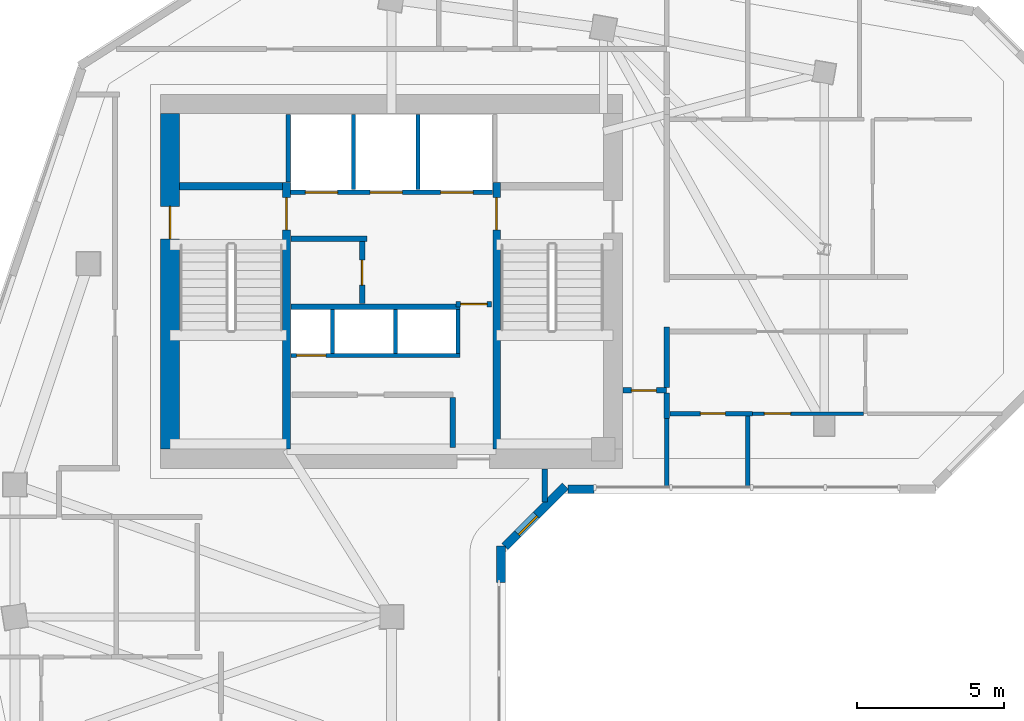
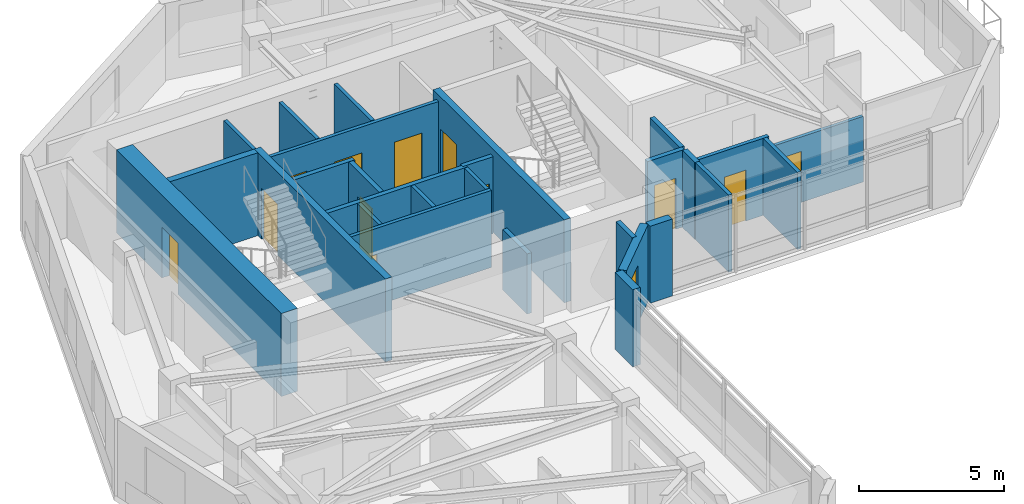
# One storey, part 5 of 10: 28 walls, 12 doors, 1 window, 13 openings.
"""IFC4 building model written with IfcOpenShell, lengths in metres."""

from ifc_helpers import new_model, si_unit, direction, frame, frame_2d, origin, place, context, subcontext, project, spatial, rectangle, extrude, source, transform, mapped, material, layer, layer_set, type_object, element, fill, save


model = new_model("IFC4")

# Units and contexts
model_context = context("Model", 3, precision=1e-05, world=origin(), true_north=direction((0.0, 1.0)))
body_context = subcontext(model_context, "Body", "Model", "MODEL_VIEW")
ifc_project = project(units=[si_unit("LENGTHUNIT", "METRE"), si_unit("AREAUNIT", "SQUARE_METRE"), si_unit("VOLUMEUNIT", "CUBIC_METRE"), si_unit("PLANEANGLEUNIT", "RADIAN"), si_unit("MASSUNIT", "GRAM", prefix="KILO")], contexts=[model_context])

# Site, building, storey
site_placement = place(None, origin())
site = spatial("IfcSite", under=ifc_project, at=site_placement, CompositionType="ELEMENT")
building_placement = place(site_placement, origin())
building = spatial("IfcBuilding", under=site, at=building_placement, Name="Calvemar Wedge Station Tower", CompositionType="ELEMENT")
storey_placement = place(building_placement, frame((0.0, 0.0, 221.89990234375)))
storey = spatial("IfcBuildingStorey", under=building, at=storey_placement, Name="L56", CompositionType="ELEMENT", Elevation=221.89990234375)

# Wall, opening, door
ifc_material_1 = material(Name="Concrete C50", Category="concrete")
ifc_layer_1 = layer(ifc_material_1, 0.260009765625)
ifc_layer_set_1 = layer_set([ifc_layer_1], Name="Concrete C50")
wall_type_1 = type_object("IfcWallType", Name="SW-CORE-260", PredefinedType="SHEAR", material=ifc_layer_set_1)
wall_1_placement = place(storey_placement, frame((20.22998046875, 34.199951171875, 0.0), z_axis=(0.0, 0.0, 1.0), x_axis=(0.0, 1.0, 0.0)))
wall_1 = element("IfcWall", 1, at=wall_1_placement, inside=storey, type_object=wall_type_1, Name="Storey L56 Core Shear Wall SPINE-W", PredefinedType="SHEAR", context=body_context, shape_type="SweptSolid", body=[
    extrude(rectangle(XDim=9.06005859375, YDim=0.260009765625, at=frame_2d((4.530029296875, 0.0))), origin(), (0.0, 0.0, 1.0), 3.5),
])
shared_shape_1 = source(origin(), body_context, "Body", "SweptSolid", [
    extrude(rectangle(XDim=1.10009765625, YDim=2.14990234375, at=frame_2d((0.550048828125, 1.074951171875))), frame((0.0, 0.14013671875, 0.0), z_axis=(0.0, -1.0, 0.0), x_axis=(1.0, 0.0, 0.0)), (0.0, 0.0, 1.0), 0.280029296875),
])
opening_1_placement = place(wall_1_placement, frame((7.449951171875, 0.0, 0.0)))
opening_1 = element("IfcOpeningElement", 2, at=opening_1_placement, cuts=wall_1, Name="Opening FD-90", PredefinedType="OPENING", context=body_context, shape_type="MappedRepresentation", body=[
    mapped(shared_shape_1, transform((0.0, 0.0, 0.0), scale=1.0)),
])
ifc_material_2 = material(Name="Galvanized fire-rated steel door leaf P-90", Category="steel")
door_type_1 = type_object("IfcDoorType", Name="DR-FD90-1100", OperationType="NOTDEFINED", PredefinedType="DOOR", material=ifc_material_2)
shared_shape_2 = source(origin(), body_context, "Body", "SweptSolid", [
    extrude(rectangle(XDim=1.10009765625, YDim=2.14990234375, at=frame_2d((0.550048828125, 1.074951171875))), frame((0.0, 0.02490234375, 0.0), z_axis=(0.0, -1.0, 0.0), x_axis=(1.0, 0.0, 0.0)), (0.0, 0.0, 1.0), 0.050048828125),
])
door_1_placement = place(opening_1_placement, origin())
door_1 = element("IfcDoor", 3, at=door_1_placement, inside=storey, type_object=door_type_1, Name="L56 FF Lobby to Stair ST-C1 Door", OperationType="SINGLE_SWING_LEFT", OverallHeight=2.14990234375, OverallWidth=1.10009765625, PredefinedType="DOOR", context=body_context, shape_type="MappedRepresentation", body=[
    mapped(shared_shape_2, transform((0.0, 0.0, 0.0), scale=1.0)),
])
fill(opening_1, door_1)

wall_2_placement = place(storey_placement, frame((27.3701171875, 34.199951171875, 0.0), z_axis=(0.0, 0.0, 1.0), x_axis=(0.0, 1.0, 0.0)))
wall_2 = element("IfcWall", 4, at=wall_2_placement, inside=storey, type_object=wall_type_1, Name="Storey L56 Core Shear Wall SPINE-E", PredefinedType="SHEAR", context=body_context, shape_type="SweptSolid", body=[
    extrude(rectangle(XDim=9.06005859375, YDim=0.260009765625, at=frame_2d((4.530029296875, 0.0))), origin(), (0.0, 0.0, 1.0), 3.5),
])
opening_2_placement = place(wall_2_placement, frame((7.449951171875, 0.0, 0.0)))
opening_2 = element("IfcOpeningElement", 5, at=opening_2_placement, cuts=wall_2, Name="Opening FD-90", PredefinedType="OPENING", context=body_context, shape_type="MappedRepresentation", body=[
    mapped(shared_shape_1, transform((0.0, 0.0, 0.0), scale=1.0)),
])
door_2_placement = place(opening_2_placement, origin())
door_2 = element("IfcDoor", 6, at=door_2_placement, inside=storey, type_object=door_type_1, Name="L56 FF Lobby to Stair ST-C2 Door", OperationType="SINGLE_SWING_RIGHT", OverallHeight=2.14990234375, OverallWidth=1.10009765625, PredefinedType="DOOR", context=body_context, shape_type="MappedRepresentation", body=[
    mapped(shared_shape_2, transform((0.0, 0.0, 0.0), scale=1.0)),
])
fill(opening_2, door_2)

# Wall
wall_3_placement = place(storey_placement, frame((16.60009765625, 43.1298828125, 0.0), z_axis=(0.0, 0.0, 1.0), x_axis=(1.0, 0.0, 0.0)))
element("IfcWall", 7, at=wall_3_placement, inside=storey, type_object=wall_type_1, Name="Storey L56 Core Shear Wall STC1-N", PredefinedType="SHEAR", context=body_context, shape_type="SweptSolid", body=[
    extrude(rectangle(XDim=3.5, YDim=0.260009765625, at=frame_2d((1.75, 0.0))), origin(), (0.0, 0.0, 1.0), 3.5),
])

# Wall, opening, door
ifc_material_3 = material(Name="Concrete C60", Category="concrete")
ifc_layer_2 = layer(ifc_material_3, 0.64990234375)
ifc_layer_set_2 = layer_set([ifc_layer_2], Name="Concrete C60")
wall_type_2 = type_object("IfcWallType", Name="SW-CORE-650", PredefinedType="SHEAR", material=ifc_layer_set_2)
wall_4_placement = place(storey_placement, frame((16.27490234375, 34.199951171875, 0.0), z_axis=(0.0, 0.0, 1.0), x_axis=(0.0, 1.0, 0.0)))
wall_4 = element("IfcWall", 8, at=wall_4_placement, inside=storey, type_object=wall_type_2, Name="Storey L56 Core Shear Wall W", PredefinedType="SHEAR", context=body_context, shape_type="SweptSolid", body=[
    extrude(rectangle(XDim=11.400146484375, YDim=0.64990234375, at=frame_2d((5.7001953125, 0.0))), origin(), (0.0, 0.0, 1.0), 3.5),
])
shared_shape_3 = source(origin(), body_context, "Body", "SweptSolid", [
    extrude(rectangle(XDim=1.10009765625, YDim=2.14990234375, at=frame_2d((0.550048828125, 1.074951171875))), frame((0.0, 0.3349609375, 0.0), z_axis=(0.0, -1.0, 0.0), x_axis=(1.0, 0.0, 0.0)), (0.0, 0.0, 1.0), 0.669921875),
])
opening_3_placement = place(wall_4_placement, frame((7.14990234375, 0.0, 0.0)))
opening_3 = element("IfcOpeningElement", 9, at=opening_3_placement, cuts=wall_4, Name="Opening FD-90", PredefinedType="OPENING", context=body_context, shape_type="MappedRepresentation", body=[
    mapped(shared_shape_3, transform((0.0, 0.0, 0.0), scale=1.0)),
])
door_3_placement = place(opening_3_placement, origin())
door_3 = element("IfcDoor", 10, at=door_3_placement, inside=storey, type_object=door_type_1, Name="L56 West Corridor to Exit Stair ST-C1 Door", OperationType="SINGLE_SWING_LEFT", OverallHeight=2.14990234375, OverallWidth=1.10009765625, PredefinedType="DOOR", context=body_context, shape_type="MappedRepresentation", body=[
    mapped(shared_shape_2, transform((0.0, 0.0, 0.0), scale=1.0)),
])
fill(opening_3, door_3)

# Wall
ifc_material_4 = material(Name="Double-stud fire-rated corridor partition")
ifc_layer_3 = layer(ifc_material_4, 0.179931640625)
ifc_layer_set_3 = layer_set([ifc_layer_3], Name="Double-stud fire-rated corridor partition")
wall_type_3 = type_object("IfcWallType", Name="W-CORR-180", PredefinedType="PARTITIONING", material=ifc_layer_set_3)
wall_5_placement = place(storey_placement, frame((22.9599609375, 41.35009765625, 0.0), z_axis=(0.0, 0.0, 1.0), x_axis=(-1.0, 0.0, 0.0)))
element("IfcWall", 11, at=wall_5_placement, inside=storey, type_object=wall_type_3, Name="Storey L56 Interior Partition WL-L56-001", PredefinedType="PARTITIONING", context=body_context, shape_type="SweptSolid", body=[
    extrude(rectangle(XDim=2.580078125, YDim=0.179931640625, at=frame_2d((1.2900390625, 0.0))), origin(), (0.0, 0.0, 1.0), 3.25),
])

# Wall, opening, door
wall_6_placement = place(storey_placement, frame((22.800048828125, 41.256103515625, 0.0), z_axis=(0.0, 0.0, 1.0), x_axis=(0.0, -1.0, 0.0)))
wall_6 = element("IfcWall", 12, at=wall_6_placement, inside=storey, type_object=wall_type_3, Name="Storey L56 Interior Partition WL-L56-002", PredefinedType="PARTITIONING", context=body_context, shape_type="SweptSolid", body=[
    extrude(rectangle(XDim=2.106201171875, YDim=0.179931640625, at=frame_2d((1.05322265625, 0.0))), origin(), (0.0, 0.0, 1.0), 3.25),
])
shared_shape_4 = source(origin(), body_context, "Body", "SweptSolid", [
    extrude(rectangle(XDim=0.85009765625, YDim=2.14990234375, at=frame_2d((0.425048828125, 1.074951171875))), frame((0.0, 0.10009765625, 0.0), z_axis=(0.0, -1.0, 0.0), x_axis=(1.0, 0.0, 0.0)), (0.0, 0.0, 1.0), 0.199951171875),
])
opening_4_placement = place(wall_6_placement, frame((0.6279296875, 0.0, 0.0)))
opening_4 = element("IfcOpeningElement", 13, at=opening_4_placement, cuts=wall_6, Name="Opening FD-60S", PredefinedType="OPENING", context=body_context, shape_type="MappedRepresentation", body=[
    mapped(shared_shape_4, transform((0.0, 0.0, 0.0), scale=1.0)),
])
ifc_material_5 = material(Name="Fire-rated steel and hardwood service door EI 60", Category="steel")
door_type_2 = type_object("IfcDoorType", Name="DR-CORE-FD60-850", OperationType="NOTDEFINED", PredefinedType="DOOR", material=ifc_material_5)
shared_shape_5 = source(origin(), body_context, "Body", "SweptSolid", [
    extrude(rectangle(XDim=0.85009765625, YDim=2.14990234375, at=frame_2d((0.425048828125, 1.074951171875))), frame((0.0, 0.02490234375, 0.0), z_axis=(0.0, -1.0, 0.0), x_axis=(1.0, 0.0, 0.0)), (0.0, 0.0, 1.0), 0.050048828125),
])
door_4_placement = place(opening_4_placement, origin())
door_4 = element("IfcDoor", 14, at=door_4_placement, inside=storey, type_object=door_type_2, Name="L56 Core Electrical Switch Room Door", OperationType="SINGLE_SWING_RIGHT", OverallHeight=2.14990234375, OverallWidth=0.85009765625, PredefinedType="DOOR", context=body_context, shape_type="MappedRepresentation", body=[
    mapped(shared_shape_5, transform((0.0, 0.0, 0.0), scale=1.0)),
])
fill(opening_4, door_4)

wall_7_placement = place(storey_placement, frame((27.199951171875, 39.1298828125, 0.0), z_axis=(0.0, 0.0, 1.0), x_axis=(-1.0, 0.0, 0.0)))
wall_7 = element("IfcWall", 15, at=wall_7_placement, inside=storey, type_object=wall_type_3, Name="Storey L56 Interior Partition WL-L56-003", PredefinedType="PARTITIONING", context=body_context, shape_type="SweptSolid", body=[
    extrude(rectangle(XDim=1.2099609375, YDim=0.179931640625, at=frame_2d((0.60498046875, 0.0))), origin(), (0.0, 0.0, 1.0), 3.25),
])
shared_shape_6 = source(origin(), body_context, "Body", "SweptSolid", [
    extrude(rectangle(XDim=0.89990234375, YDim=2.14990234375, at=frame_2d((0.449951171875, 1.074951171875))), frame((0.0, 0.10009765625, 0.0), z_axis=(0.0, -1.0, 0.0), x_axis=(1.0, 0.0, 0.0)), (0.0, 0.0, 1.0), 0.199951171875),
])
opening_5_placement = place(wall_7_placement, frame((0.155029296875, 0.0, 0.0)))
opening_5 = element("IfcOpeningElement", 16, at=opening_5_placement, cuts=wall_7, Name="Opening FD-60", PredefinedType="OPENING", context=body_context, shape_type="MappedRepresentation", body=[
    mapped(shared_shape_6, transform((0.0, 0.0, 0.0), scale=1.0)),
])
ifc_material_6 = material(Name="Fire-rated acoustic timber-core entrance door EI 60", Category="wood")
door_type_3 = type_object("IfcDoorType", Name="DR-FD60-900", OperationType="NOTDEFINED", PredefinedType="DOOR", material=ifc_material_6)
shared_shape_7 = source(origin(), body_context, "Body", "SweptSolid", [
    extrude(rectangle(XDim=0.89990234375, YDim=2.14990234375, at=frame_2d((0.449951171875, 1.074951171875))), frame((0.0, 0.02490234375, 0.0), z_axis=(0.0, -1.0, 0.0), x_axis=(1.0, 0.0, 0.0)), (0.0, 0.0, 1.0), 0.050048828125),
])
door_5_placement = place(opening_5_placement, origin())
door_5 = element("IfcDoor", 17, at=door_5_placement, inside=storey, type_object=door_type_3, Name="L56 Core Service Lobby Door", OperationType="SINGLE_SWING_LEFT", OverallHeight=2.14990234375, OverallWidth=0.89990234375, PredefinedType="DOOR", context=body_context, shape_type="MappedRepresentation", body=[
    mapped(shared_shape_7, transform((0.0, 0.0, 0.0), scale=1.0)),
])
fill(opening_5, door_5)

# Walls
wall_8_placement = place(storey_placement, frame((25.8798828125, 35.9560546875, 0.0), z_axis=(0.0, 0.0, 1.0), x_axis=(0.0, -1.0, 0.0)))
element("IfcWall", 18, at=wall_8_placement, inside=storey, type_object=wall_type_3, Name="Storey L56 Interior Partition WL-L56-005", PredefinedType="PARTITIONING", context=body_context, shape_type="SweptSolid", body=[
    extrude(rectangle(XDim=1.7060546875, YDim=0.179931640625, at=frame_2d((0.85302734375, 0.0))), origin(), (0.0, 0.0, 1.0), 2.5419921875),
])
wall_9_placement = place(storey_placement, frame((29.0, 33.530029296875, 0.0), z_axis=(0.0, 0.0, 1.0), x_axis=(0.0, -1.0, 0.0)))
element("IfcWall", 19, at=wall_9_placement, inside=storey, type_object=wall_type_3, Name="Storey L56 Interior Partition WL-L56-008", PredefinedType="PARTITIONING", context=body_context, shape_type="SweptSolid", body=[
    extrude(rectangle(XDim=1.127197265625, YDim=0.179931640625, at=frame_2d((0.5634765625, 0.0))), origin(), (0.0, 0.0, 1.0), 3.25),
])

# Wall, opening, door
wall_10_placement = place(storey_placement, frame((33.14990234375, 36.199951171875, 0.0), z_axis=(0.0, 0.0, 1.0), x_axis=(-1.0, 0.0, 0.0)))
wall_10 = element("IfcWall", 20, at=wall_10_placement, inside=storey, type_object=wall_type_3, Name="Storey L56 Interior Partition WL-L56-017", PredefinedType="PARTITIONING", context=body_context, shape_type="SweptSolid", body=[
    extrude(rectangle(XDim=1.47998046875, YDim=0.179931640625, at=frame_2d((0.739990234375, 0.0))), origin(), (0.0, 0.0, 1.0), 3.25),
])
opening_6_placement = place(wall_10_placement, frame((0.35009765625, 0.0, 0.0)))
opening_6 = element("IfcOpeningElement", 21, at=opening_6_placement, cuts=wall_10, Name="Opening D-02", PredefinedType="OPENING", context=body_context, shape_type="MappedRepresentation", body=[
    mapped(shared_shape_4, transform((0.0, 0.0, 0.0), scale=1.0)),
])
ifc_material_7 = material(Name="Moisture-sealed bathroom hardwood swing door", Category="wood")
door_type_4 = type_object("IfcDoorType", Name="DR-WET-850", OperationType="NOTDEFINED", PredefinedType="DOOR", material=ifc_material_7)
shared_shape_8 = source(origin(), body_context, "Body", "SweptSolid", [
    extrude(rectangle(XDim=0.85009765625, YDim=2.14990234375, at=frame_2d((0.425048828125, 1.074951171875))), frame((0.0, 0.02490234375, 0.0), z_axis=(0.0, -1.0, 0.0), x_axis=(1.0, 0.0, 0.0)), (0.0, 0.0, 1.0), 0.050048828125),
])
door_6_placement = place(opening_6_placement, origin())
door_6 = element("IfcDoor", 22, at=door_6_placement, inside=storey, type_object=door_type_4, Name="L56 Pantry Door", OperationType="SINGLE_SWING_LEFT", OverallHeight=2.14990234375, OverallWidth=0.85009765625, PredefinedType="DOOR", context=body_context, shape_type="MappedRepresentation", body=[
    mapped(shared_shape_8, transform((0.0, 0.0, 0.0), scale=1.0)),
])
fill(opening_6, door_6)

# Walls
wall_11_placement = place(storey_placement, frame((33.14990234375, 38.360107421875, 0.0), z_axis=(0.0, 0.0, 1.0), x_axis=(0.0, -1.0, 0.0)))
element("IfcWall", 23, at=wall_11_placement, inside=storey, type_object=wall_type_3, Name="Storey L56 Interior Partition WL-L56-020", PredefinedType="PARTITIONING", context=body_context, shape_type="SweptSolid", body=[
    extrude(rectangle(XDim=2.066162109375, YDim=0.179931640625, at=frame_2d((1.033203125, 0.0))), origin(), (0.0, 0.0, 1.0), 3.25),
])
ifc_material_8 = material(Name="Twin-stud fire-rated inter-tenancy wall")
ifc_layer_4 = layer(ifc_material_8, 0.199951171875)
ifc_layer_set_4 = layer_set([ifc_layer_4], Name="Twin-stud fire-rated inter-tenancy wall")
wall_type_4 = type_object("IfcWallType", Name="W-DEMISE-200", PredefinedType="PARTITIONING", material=ifc_layer_set_4)
wall_12_placement = place(storey_placement, frame((33.14990234375, 36.10595703125, 0.0), z_axis=(0.0, 0.0, 1.0), x_axis=(0.0, -1.0, 0.0)))
element("IfcWall", 24, at=wall_12_placement, inside=storey, type_object=wall_type_4, Name="Storey L56 Interior Partition WL-L56-029", PredefinedType="PARTITIONING", context=body_context, shape_type="SweptSolid", body=[
    extrude(rectangle(XDim=0.85888671875, YDim=0.199951171875, at=frame_2d((0.429443359375, 0.0))), origin(), (0.0, 0.0, 1.0), 3.25),
])
ifc_material_9 = material(Name="Precast concrete C45", Category="concrete")
ifc_layer_5 = layer(ifc_material_9, 0.300048828125)
ifc_layer_set_5 = layer_set([ifc_layer_5], Name="Precast concrete C45")
wall_type_5 = type_object("IfcWallType", Name="W-EXT-GFRC-300", PredefinedType="SOLIDWALL", material=ifc_layer_set_5)
wall_13_placement = place(storey_placement, frame((27.513916015625, 29.676513671875, 0.0), z_axis=(0.0, 0.0, 1.0), x_axis=(0.0, 1.0, 0.0)))
element("IfcWall", 25, at=wall_13_placement, inside=storey, type_object=wall_type_5, Name="Storey L56 Bronze GFRC Corner Pier 4B", PredefinedType="SOLIDWALL", context=body_context, shape_type="SweptSolid", body=[
    extrude(rectangle(XDim=1.2275390625, YDim=0.300048828125, at=frame_2d((0.61376953125, 0.0))), origin(), (0.0, 0.0, 1.0), 3.25),
])

# Wall, opening, window
wall_14_placement = place(storey_placement, frame((27.652099609375, 30.89208984375, 0.0), z_axis=(0.0, 0.0, 1.0), x_axis=(0.707106781187, 0.707106781187, 0.0)))
wall_14 = element("IfcWall", 26, at=wall_14_placement, inside=storey, type_object=wall_type_5, Name="Storey L56 Bronze GFRC Exterior Wall 5", PredefinedType="SOLIDWALL", context=body_context, shape_type="SweptSolid", body=[
    extrude(rectangle(XDim=2.907470703125, YDim=0.300048828125, at=frame_2d((1.45361328125, 0.0))), origin(), (0.0, 0.0, 1.0), 3.25),
])
shared_shape_9 = source(origin(), body_context, "Body", "SweptSolid", [
    extrude(rectangle(XDim=0.89990234375, YDim=1.60009765625, at=frame_2d((0.449951171875, 0.800048828125))), frame((0.0, 0.16015625, 0.0), z_axis=(0.0, -1.0, 0.0), x_axis=(1.0, 0.0, 0.0)), (0.0, 0.0, 1.0), 0.320068359375),
])
opening_7_placement = place(wall_14_placement, frame((0.611083984375, 0.0, 0.85009765625)))
opening_7 = element("IfcOpeningElement", 27, at=opening_7_placement, cuts=wall_14, Name="Opening W7", PredefinedType="OPENING", context=body_context, shape_type="MappedRepresentation", body=[
    mapped(shared_shape_9, transform((0.0, 0.0, 0.0), scale=1.0)),
])
ifc_material_10 = material(Name="Low-E laminated insulated glass", Category="glass")
window_type = type_object("IfcWindowType", Name="WIN-EXT-7", PartitioningType="SINGLE_PANEL", PredefinedType="WINDOW", material=ifc_material_10)
shared_shape_10 = source(origin(), body_context, "Body", "SweptSolid", [
    extrude(rectangle(XDim=0.89990234375, YDim=1.60009765625, at=frame_2d((0.449951171875, 0.800048828125))), frame((0.0, -0.014892578125, 0.0), z_axis=(0.0, -1.0, 0.0), x_axis=(1.0, 0.0, 0.0)), (0.0, 0.0, 1.0), 0.06005859375),
])
window_placement = place(opening_7_placement, origin())
window = element("IfcWindow", 28, at=window_placement, inside=storey, type_object=window_type, Name="Storey L56 Recessed Window 5.1", OverallHeight=1.60009765625, OverallWidth=0.89990234375, PartitioningType="SINGLE_PANEL", PredefinedType="WINDOW", context=body_context, shape_type="MappedRepresentation", body=[
    mapped(shared_shape_10, transform((0.0, 0.0, 0.0), scale=1.0)),
])
fill(opening_7, window)

# Wall
wall_15_placement = place(storey_placement, frame((29.797119140625, 32.842041015625, 0.0), z_axis=(0.0, 0.0, 1.0), x_axis=(1.0, 0.0, 0.0)))
element("IfcWall", 29, at=wall_15_placement, inside=storey, type_object=wall_type_5, Name="Storey L56 Bronze GFRC Corner Pier 6A", PredefinedType="SOLIDWALL", context=body_context, shape_type="SweptSolid", body=[
    extrude(rectangle(XDim=0.88232421875, YDim=0.300048828125, at=frame_2d((0.441162109375, 0.0))), origin(), (0.0, 0.0, 1.0), 3.25),
])

# Wall, openings, doors
ifc_material_11 = material(Name="Reinforced concrete blockwork lift shaft wall", Category="masonry")
ifc_layer_6 = layer(ifc_material_11, 0.139892578125)
ifc_layer_set_6 = layer_set([ifc_layer_6], Name="Reinforced concrete blockwork lift shaft wall")
wall_type_6 = type_object("IfcWallType", Name="W-LIFT-160", PredefinedType="SOLIDWALL", material=ifc_layer_set_6)
wall_16_placement = place(storey_placement, frame((20.3701171875, 42.929931640625, 0.0), z_axis=(0.0, 0.0, 1.0), x_axis=(1.0, 0.0, 0.0)))
wall_16 = element("IfcWall", 30, at=wall_16_placement, inside=storey, type_object=wall_type_6, Name="Storey L56 Firefighting and Service Lift Shaft Front Wall", PredefinedType="SOLIDWALL", context=body_context, shape_type="SweptSolid", body=[
    extrude(rectangle(XDim=6.85986328125, YDim=0.139892578125, at=frame_2d((3.429931640625, 0.0))), origin(), (0.0, 0.0, 1.0), 3.25),
])
shared_shape_11 = source(origin(), body_context, "Body", "SweptSolid", [
    extrude(rectangle(XDim=1.10009765625, YDim=2.14990234375, at=frame_2d((0.550048828125, 1.074951171875))), frame((0.0, 0.080078125, 0.0), z_axis=(0.0, -1.0, 0.0), x_axis=(1.0, 0.0, 0.0)), (0.0, 0.0, 1.0), 0.159912109375),
])
opening_8_placement = place(wall_16_placement, frame((0.5, 0.0, 0.0)))
opening_8 = element("IfcOpeningElement", 31, at=opening_8_placement, cuts=wall_16, Name="Opening LD-FF", PredefinedType="OPENING", context=body_context, shape_type="MappedRepresentation", body=[
    mapped(shared_shape_11, transform((0.0, 0.0, 0.0), scale=1.0)),
])
opening_9_placement = place(wall_16_placement, frame((2.699951171875, 0.0, 0.0)))
opening_9 = element("IfcOpeningElement", 32, at=opening_9_placement, cuts=wall_16, Name="Opening LD-FF", PredefinedType="OPENING", context=body_context, shape_type="MappedRepresentation", body=[
    mapped(shared_shape_11, transform((0.0, 0.0, 0.0), scale=1.0)),
])
opening_10_placement = place(wall_16_placement, frame((5.10009765625, 0.0, 0.0)))
opening_10 = element("IfcOpeningElement", 33, at=opening_10_placement, cuts=wall_16, Name="Opening LD-STN", PredefinedType="OPENING", context=body_context, shape_type="MappedRepresentation", body=[
    mapped(shared_shape_11, transform((0.0, 0.0, 0.0), scale=1.0)),
])
ifc_material_12 = material(Name="Stainless steel firefighting lift sliding landing door", Category="steel")
door_type_5 = type_object("IfcDoorType", Name="DR-LD-FF-1100", OperationType="SLIDING_TO_LEFT", PredefinedType="DOOR", material=ifc_material_12)
shared_shape_12 = source(origin(), body_context, "Body", "SweptSolid", [
    extrude(rectangle(XDim=1.10009765625, YDim=2.14990234375, at=frame_2d((0.550048828125, 1.074951171875))), frame((0.0, 0.02490234375, 0.0), z_axis=(0.0, -1.0, 0.0), x_axis=(1.0, 0.0, 0.0)), (0.0, 0.0, 1.0), 0.050048828125),
])
door_7_placement = place(opening_8_placement, origin())
door_7 = element("IfcDoor", 34, at=door_7_placement, inside=storey, type_object=door_type_5, Name="L56 Lift FF-01 Sliding Landing Door", OperationType="SLIDING_TO_LEFT", OverallHeight=2.14990234375, OverallWidth=1.10009765625, PredefinedType="DOOR", context=body_context, shape_type="MappedRepresentation", body=[
    mapped(shared_shape_12, transform((0.0, 0.0, 0.0), scale=1.0)),
])
fill(opening_8, door_7)
door_8_placement = place(opening_9_placement, origin())
door_8 = element("IfcDoor", 35, at=door_8_placement, inside=storey, type_object=door_type_5, Name="L56 Lift FF-02 Sliding Landing Door", OperationType="SLIDING_TO_RIGHT", OverallHeight=2.14990234375, OverallWidth=1.10009765625, PredefinedType="DOOR", context=body_context, shape_type="MappedRepresentation", body=[
    mapped(shared_shape_12, transform((0.0, 0.0, 0.0), scale=1.0)),
])
fill(opening_9, door_8)
ifc_material_13 = material(Name="Stainless steel transit lift sliding landing door", Category="steel")
door_type_6 = type_object("IfcDoorType", Name="DR-LD-PAX-1100", OperationType="SLIDING_TO_LEFT", PredefinedType="DOOR", material=ifc_material_13)
shared_shape_13 = source(origin(), body_context, "Body", "SweptSolid", [
    extrude(rectangle(XDim=1.10009765625, YDim=2.14990234375, at=frame_2d((0.550048828125, 1.074951171875))), frame((0.0, 0.02490234375, 0.0), z_axis=(0.0, -1.0, 0.0), x_axis=(1.0, 0.0, 0.0)), (0.0, 0.0, 1.0), 0.050048828125),
])
door_9_placement = place(opening_10_placement, origin())
door_9 = element("IfcDoor", 36, at=door_9_placement, inside=storey, type_object=door_type_6, Name="L56 Lift SV-01 Sliding Landing Door", OperationType="SLIDING_TO_LEFT", OverallHeight=2.14990234375, OverallWidth=1.10009765625, PredefinedType="DOOR", context=body_context, shape_type="MappedRepresentation", body=[
    mapped(shared_shape_13, transform((0.0, 0.0, 0.0), scale=1.0)),
])
fill(opening_10, door_9)

# Walls
wall_17_placement = place(storey_placement, frame((20.2900390625, 43.280029296875, 0.0), z_axis=(0.0, 0.0, 1.0), x_axis=(0.0, 1.0, 0.0)))
element("IfcWall", 37, at=wall_17_placement, inside=storey, type_object=wall_type_6, Name="Storey L56 Firefighting Lift Shaft Enclosure Wall W", PredefinedType="SOLIDWALL", context=body_context, shape_type="SweptSolid", body=[
    extrude(rectangle(XDim=2.300048828125, YDim=0.139892578125, at=frame_2d((1.14990234375, 0.0))), origin(), (0.0, 0.0, 1.0), 3.25),
])
for number, where, z_axis, x_axis, name in (
    (38, (22.5, 43.02001953125, 0.0), (0.0, 0.0, 1.0), (0.0, 1.0, 0.0), "Storey L56 Firefighting Lift Shaft Enclosure Wall D1"),
    (39, (24.699951171875, 43.02001953125, 0.0), (0.0, 0.0, 1.0), (0.0, 1.0, 0.0), "Storey L56 Firefighting Lift Shaft Enclosure Wall D2"),
):
    element("IfcWall", number, at=place(storey_placement, frame(where, z_axis=z_axis, x_axis=x_axis)), inside=storey, type_object=wall_type_6, Name=name, PredefinedType="SOLIDWALL", context=body_context, shape_type="SweptSolid", body=[
        extrude(rectangle(XDim=2.56005859375, YDim=0.139892578125, at=frame_2d((1.280029296875, 0.0))), origin(), (0.0, 0.0, 1.0), 3.25),
    ])

# Wall, opening, door
wall_18_placement = place(storey_placement, frame((20.3798828125, 37.3798828125, 0.0), z_axis=(0.0, 0.0, 1.0), x_axis=(1.0, 0.0, 0.0)))
wall_18 = element("IfcWall", 40, at=wall_18_placement, inside=storey, type_object=wall_type_6, Name="Storey L56 Upper Passenger Lift Bank Front Wall", PredefinedType="SOLIDWALL", context=body_context, shape_type="SweptSolid", body=[
    extrude(rectangle(XDim=5.75, YDim=0.139892578125, at=frame_2d((2.875, 0.0))), origin(), (0.0, 0.0, 1.0), 3.25),
])
shared_shape_14 = source(origin(), body_context, "Body", "SweptSolid", [
    extrude(rectangle(XDim=1.0, YDim=2.14990234375, at=frame_2d((0.5, 1.074951171875))), frame((0.0, 0.080078125, 0.0), z_axis=(0.0, -1.0, 0.0), x_axis=(1.0, 0.0, 0.0)), (0.0, 0.0, 1.0), 0.159912109375),
])
opening_11_placement = place(wall_18_placement, frame((0.18994140625, 0.0, 0.0)))
opening_11 = element("IfcOpeningElement", 41, at=opening_11_placement, cuts=wall_18, Name="Opening LD-PAX", PredefinedType="OPENING", context=body_context, shape_type="MappedRepresentation", body=[
    mapped(shared_shape_14, transform((0.0, 0.0, 0.0), scale=1.0)),
])
ifc_material_14 = material(Name="Anodised bronze passenger lift sliding landing door")
door_type_7 = type_object("IfcDoorType", Name="DR-LD-PAX-1000", OperationType="SLIDING_TO_LEFT", PredefinedType="DOOR", material=ifc_material_14)
shared_shape_15 = source(origin(), body_context, "Body", "SweptSolid", [
    extrude(rectangle(XDim=1.0, YDim=2.14990234375, at=frame_2d((0.5, 1.074951171875))), frame((0.0, 0.02490234375, 0.0), z_axis=(0.0, -1.0, 0.0), x_axis=(1.0, 0.0, 0.0)), (0.0, 0.0, 1.0), 0.050048828125),
])
door_10_placement = place(opening_11_placement, origin())
door_10 = element("IfcDoor", 42, at=door_10_placement, inside=storey, type_object=door_type_7, Name="L56 Lift RH-01 Sliding Landing Door", OperationType="SLIDING_TO_LEFT", OverallHeight=2.14990234375, OverallWidth=1.0, PredefinedType="DOOR", context=body_context, shape_type="MappedRepresentation", body=[
    mapped(shared_shape_15, transform((0.0, 0.0, 0.0), scale=1.0)),
])
fill(opening_11, door_10)

# Walls
for number, where, z_axis, x_axis, name in (
    (43, (26.06005859375, 37.4599609375, 0.0), (0.0, 0.0, 1.0), (0.0, 1.0, 0.0), "Storey L56 Upper Passenger Lift Shaft Wall E"),
    (44, (21.794921875, 37.4599609375, 0.0), (0.0, 0.0, 1.0), (0.0, 1.0, 0.0), "Storey L56 Upper Passenger Lift Shaft Wall D1"),
    (45, (23.93505859375, 37.4599609375, 0.0), (0.0, 0.0, 1.0), (0.0, 1.0, 0.0), "Storey L56 Upper Passenger Lift Shaft Wall D2"),
):
    element("IfcWall", number, at=place(storey_placement, frame(where, z_axis=z_axis, x_axis=x_axis)), inside=storey, type_object=wall_type_6, Name=name, PredefinedType="SOLIDWALL", context=body_context, shape_type="SweptSolid", body=[
        extrude(rectangle(XDim=1.47998046875, YDim=0.139892578125, at=frame_2d((0.739990234375, 0.0))), origin(), (0.0, 0.0, 1.0), 3.25),
    ])

# Wall, opening, door
ifc_material_15 = material(Name="Insulated acoustic gypsum stud partition")
ifc_layer_7 = layer(ifc_material_15, 0.125)
ifc_layer_set_7 = layer_set([ifc_layer_7], Name="Insulated acoustic gypsum stud partition")
wall_type_7 = type_object("IfcWallType", Name="W-PART-125", PredefinedType="PARTITIONING", material=ifc_layer_set_7)
wall_19_placement = place(storey_placement, frame((39.83349609375, 35.406982421875, 0.0), z_axis=(0.0, 0.0, 1.0), x_axis=(-1.0, 0.0, 0.0)))
wall_19 = element("IfcWall", 46, at=wall_19_placement, inside=storey, type_object=wall_type_7, Name="Storey L56 Interior Partition WL-L56-039", PredefinedType="PARTITIONING", context=body_context, shape_type="SweptSolid", body=[
    extrude(rectangle(XDim=3.771484375, YDim=0.125, at=frame_2d((1.8857421875, 0.0))), origin(), (0.0, 0.0, 1.0), 2.76611328125),
])
shared_shape_16 = source(origin(), body_context, "Body", "SweptSolid", [
    extrude(rectangle(XDim=0.89990234375, YDim=2.14990234375, at=frame_2d((0.449951171875, 1.074951171875))), frame((0.0, 0.072509765625, 0.0), z_axis=(0.0, -1.0, 0.0), x_axis=(1.0, 0.0, 0.0)), (0.0, 0.0, 1.0), 0.14501953125),
])
opening_12_placement = place(wall_19_placement, frame((2.4697265625, 0.0, 0.0)))
opening_12 = element("IfcOpeningElement", 47, at=opening_12_placement, cuts=wall_19, Name="Opening D-01", PredefinedType="OPENING", context=body_context, shape_type="MappedRepresentation", body=[
    mapped(shared_shape_16, transform((0.0, 0.0, 0.0), scale=1.0)),
])
ifc_material_16 = material(Name="Architectural hardwood acoustic swing door", Category="wood")
door_type_8 = type_object("IfcDoorType", Name="DR-INT-900", OperationType="NOTDEFINED", PredefinedType="DOOR", material=ifc_material_16)
shared_shape_17 = source(origin(), body_context, "Body", "SweptSolid", [
    extrude(rectangle(XDim=0.89990234375, YDim=2.14990234375, at=frame_2d((0.449951171875, 1.074951171875))), frame((0.0, 0.02490234375, 0.0), z_axis=(0.0, -1.0, 0.0), x_axis=(1.0, 0.0, 0.0)), (0.0, 0.0, 1.0), 0.050048828125),
])
door_11_placement = place(opening_12_placement, origin())
door_11 = element("IfcDoor", 48, at=door_11_placement, inside=storey, type_object=door_type_8, Name="L56 Master Bedroom Door", OperationType="SINGLE_SWING_RIGHT", OverallHeight=2.14990234375, OverallWidth=0.89990234375, PredefinedType="DOOR", context=body_context, shape_type="MappedRepresentation", body=[
    mapped(shared_shape_17, transform((0.0, 0.0, 0.0), scale=1.0)),
])
fill(opening_12, door_11)

# Walls
ifc_material_17 = material(Name="Concrete blockwork and fireboard shaft wall", Category="masonry")
ifc_layer_8 = layer(ifc_material_17, 0.199951171875)
ifc_layer_set_8 = layer_set([ifc_layer_8], Name="Concrete blockwork and fireboard shaft wall")
wall_type_8 = type_object("IfcWallType", Name="W-SHAFT-200", PredefinedType="SOLIDWALL", material=ifc_layer_set_8)
wall_20_placement = place(storey_placement, frame((20.3798828125, 39.0400390625, 0.0), z_axis=(0.0, 0.0, 1.0), x_axis=(1.0, 0.0, 0.0)))
element("IfcWall", 49, at=wall_20_placement, inside=storey, type_object=wall_type_8, Name="Storey L56 Upper Passenger Lift Bank Rear Shaft Wall", PredefinedType="SOLIDWALL", context=body_context, shape_type="SweptSolid", body=[
    extrude(rectangle(XDim=5.75, YDim=0.179931640625, at=frame_2d((2.875, 0.0))), origin(), (0.0, 0.0, 1.0), 3.25),
])
ifc_material_18 = material(Name="Moisture-resistant acoustic bathroom partition")
ifc_layer_9 = layer(ifc_material_18, 0.14990234375)
ifc_layer_set_9 = layer_set([ifc_layer_9], Name="Moisture-resistant acoustic bathroom partition")
wall_type_9 = type_object("IfcWallType", Name="W-WET-150", PredefinedType="PARTITIONING", material=ifc_layer_set_9)
wall_21_placement = place(storey_placement, frame((33.14990234375, 35.2451171875, 0.0), z_axis=(0.0, 0.0, 1.0), x_axis=(0.0, -1.0, 0.0)))
element("IfcWall", 50, at=wall_21_placement, inside=storey, type_object=wall_type_9, Name="Storey L56 Interior Partition WL-L56-030", PredefinedType="PARTITIONING", context=body_context, shape_type="SweptSolid", body=[
    extrude(rectangle(XDim=2.2880859375, YDim=0.14990234375, at=frame_2d((1.14404296875, 0.0))), origin(), (0.0, 0.0, 1.0), 3.25),
])

# Wall, opening, door
wall_22_placement = place(storey_placement, frame((36.06005859375, 35.406982421875, 0.0), z_axis=(0.0, 0.0, 1.0), x_axis=(-1.0, 0.0, 0.0)))
wall_22 = element("IfcWall", 51, at=wall_22_placement, inside=storey, type_object=wall_type_9, Name="Storey L56 Interior Partition WL-L56-038", PredefinedType="PARTITIONING", context=body_context, shape_type="SweptSolid", body=[
    extrude(rectangle(XDim=2.80615234375, YDim=0.14990234375, at=frame_2d((1.403076171875, 0.0))), origin(), (0.0, 0.0, 1.0), 3.25),
])
shared_shape_18 = source(origin(), body_context, "Body", "SweptSolid", [
    extrude(rectangle(XDim=0.85009765625, YDim=2.14990234375, at=frame_2d((0.425048828125, 1.074951171875))), frame((0.0, 0.0849609375, 0.0), z_axis=(0.0, -1.0, 0.0), x_axis=(1.0, 0.0, 0.0)), (0.0, 0.0, 1.0), 0.169921875),
])
opening_13_placement = place(wall_22_placement, frame((0.91455078125, 0.0, 0.0)))
opening_13 = element("IfcOpeningElement", 52, at=opening_13_placement, cuts=wall_22, Name="Opening D-02", PredefinedType="OPENING", context=body_context, shape_type="MappedRepresentation", body=[
    mapped(shared_shape_18, transform((0.0, 0.0, 0.0), scale=1.0)),
])
door_12_placement = place(opening_13_placement, origin())
door_12 = element("IfcDoor", 53, at=door_12_placement, inside=storey, type_object=door_type_4, Name="L56 Bathroom Door", OperationType="SINGLE_SWING_LEFT", OverallHeight=2.14990234375, OverallWidth=0.85009765625, PredefinedType="DOOR", context=body_context, shape_type="MappedRepresentation", body=[
    mapped(shared_shape_8, transform((0.0, 0.0, 0.0), scale=1.0)),
])
fill(opening_13, door_12)

# Wall
wall_23_placement = place(storey_placement, frame((35.89990234375, 35.327880859375, 0.0), z_axis=(0.0, 0.0, 1.0), x_axis=(0.0, -1.0, 0.0)))
element("IfcWall", 54, at=wall_23_placement, inside=storey, type_object=wall_type_9, Name="Storey L56 Interior Partition WL-L56-041", PredefinedType="PARTITIONING", context=body_context, shape_type="SweptSolid", body=[
    extrude(rectangle(XDim=2.370849609375, YDim=0.14990234375, at=frame_2d((1.185546875, 0.0))), origin(), (0.0, 0.0, 1.0), 3.25),
])

save(model, "model.ifc")
